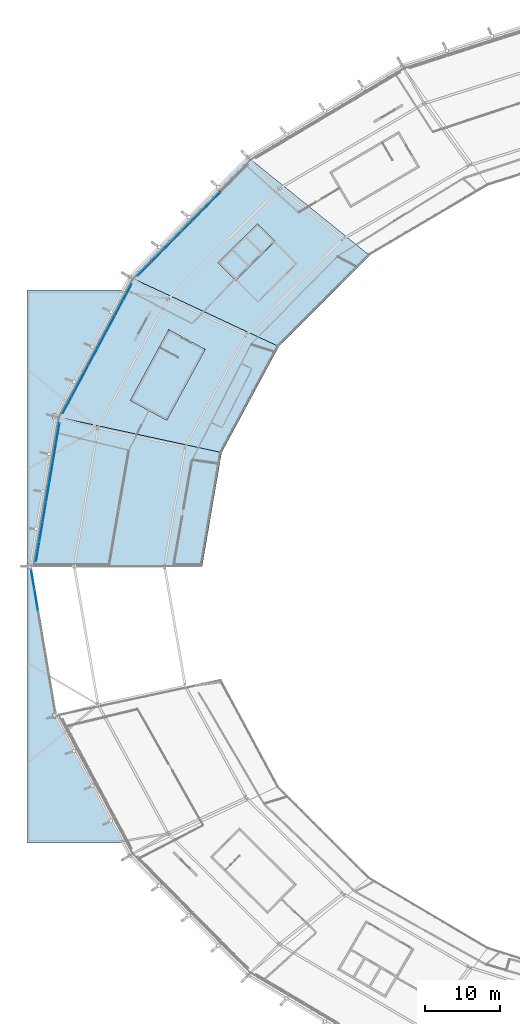
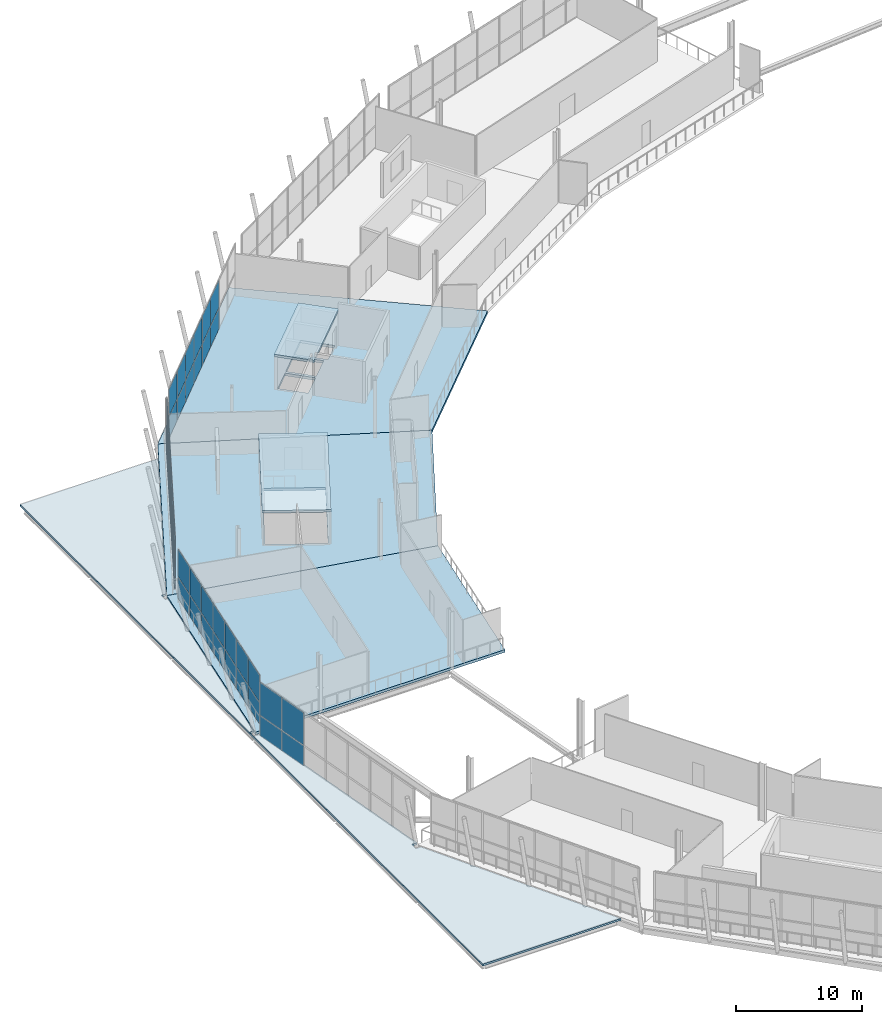
# One storey, part 56 of 99: 46 plates, 6 slabs, 5 elements without a shape of their own.
"""IFC4 building model written with IfcOpenShell, lengths in metres."""

from ifc_helpers import new_model, si_unit, direction, frame, origin, origin_2d, place, context, subcontext, project, spatial, polyline, rectangle, outline, extrude, material, layer, layer_set, type_object, element, aggregate, save


model = new_model("IFC4")

# Units and contexts
model_context = context("Model", 3, precision=1e-05, world=origin(), true_north=direction((0.0, 1.0)))
body_context = subcontext(model_context, "Body", "Model", "MODEL_VIEW")
ifc_project = project(units=[si_unit("LENGTHUNIT", "METRE"), si_unit("AREAUNIT", "SQUARE_METRE"), si_unit("VOLUMEUNIT", "CUBIC_METRE"), si_unit("PLANEANGLEUNIT", "RADIAN"), si_unit("MASSUNIT", "GRAM", prefix="KILO")], contexts=[model_context])

# Site, building, storey
site_placement = place(None, origin())
site = spatial("IfcSite", under=ifc_project, at=site_placement, CompositionType="ELEMENT")
building_placement = place(site_placement, origin())
building = spatial("IfcBuilding", under=site, at=building_placement, Name="Zlatoyarsky Gate Stadium", CompositionType="ELEMENT")
storey_placement = place(building_placement, frame((0.0, 0.0, 26.199951171875)))
storey = spatial("IfcBuildingStorey", under=building, at=storey_placement, Name="L05", CompositionType="ELEMENT", Elevation=26.199951171875)

# Curtain wall, plates
ifc_material_1 = material(Name="Thermally broken anodised aluminium curtain wall", Category="aluminium")
curtain_wall_type_1 = type_object("IfcCurtainWallType", Name="MONUMENTAL ARCHED GATE GLAZING UPPER", PredefinedType="USERDEFINED", material=ifc_material_1)
curtain_wall_1_placement = place(storey_placement, origin())
curtain_wall_1 = element("IfcCurtainWall", 1, at=curtain_wall_1_placement, inside=storey, type_object=curtain_wall_type_1, Name="Curtain wall CW-L05-12", ObjectType="ARCHED GATE GLAZING", PredefinedType="USERDEFINED")
ifc_material_2 = material(Name="Triple-glazed argon low-e architectural glass", Category="glass")
ifc_layer_1 = layer(ifc_material_2, 0.0458984375)
ifc_layer_set_1 = layer_set([ifc_layer_1], Name="Triple-glazed argon low-e architectural glass")
plate_type_1 = type_object("IfcPlateType", Name="ACOUSTIC LAMINATED GATE GLAZING PANEL 46", PredefinedType="CURTAIN_PANEL", material=ifc_layer_set_1)
plate_1_placement = place(storey_placement, frame((12.509765625, 78.181396484375, -0.18505859375), z_axis=(0.0, 0.0, 1.0), x_axis=(0.166995052945, -0.985957733522, 0.0)))
plate_1 = element("IfcPlate", 2, at=plate_1_placement, type_object=plate_type_1, Name="CW-AG2 panel 1.1", PredefinedType="CURTAIN_PANEL", context=body_context, shape_type="SweptSolid", body=[
    extrude(rectangle(XDim=2.638916015625, YDim=0.0458984375, at=origin_2d()), origin(), (0.0, 0.0, 1.0), 2.03759765625),
])
plate_2_placement = place(storey_placement, frame((12.509765625, 78.181396484375, 1.927490234375), z_axis=(0.0, 0.0, 1.0), x_axis=(0.166995052945, -0.985957733522, 0.0)))
plate_2 = element("IfcPlate", 3, at=plate_2_placement, type_object=plate_type_1, Name="CW-AG2 panel 1.2", PredefinedType="CURTAIN_PANEL", context=body_context, shape_type="SweptSolid", body=[
    extrude(rectangle(XDim=2.638916015625, YDim=0.0458984375, at=origin_2d()), origin(), (0.0, 0.0, 1.0), 3.1474609375),
])
plate_3_placement = place(storey_placement, frame((12.96630859375, 75.487060546875, -0.18505859375), z_axis=(0.0, 0.0, 1.0), x_axis=(0.166995052945, -0.985957733522, 0.0)))
plate_3 = element("IfcPlate", 4, at=plate_3_placement, type_object=plate_type_1, Name="CW-AG2 panel 2.1", PredefinedType="CURTAIN_PANEL", context=body_context, shape_type="SweptSolid", body=[
    extrude(rectangle(XDim=2.676513671875, YDim=0.0458984375, at=origin_2d()), origin(), (0.0, 0.0, 1.0), 2.03759765625),
])
plate_4_placement = place(storey_placement, frame((12.96630859375, 75.487060546875, 1.927490234375), z_axis=(0.0, 0.0, 1.0), x_axis=(0.166995052945, -0.985957733522, 0.0)))
plate_4 = element("IfcPlate", 5, at=plate_4_placement, type_object=plate_type_1, Name="CW-AG2 panel 2.2", PredefinedType="CURTAIN_PANEL", context=body_context, shape_type="SweptSolid", body=[
    extrude(rectangle(XDim=2.676513671875, YDim=0.0458984375, at=origin_2d()), origin(), (0.0, 0.0, 1.0), 3.1474609375),
])
aggregate(curtain_wall_1, [plate_1, plate_2, plate_3, plate_4])

# Roof, slab
ifc_material_3 = material(Name="Standing-seam aluminium-zinc roofing with mineral wool insulation", Category="aluminium")
ifc_layer_2 = layer(ifc_material_3, 0.080078125)
ifc_layer_set_2 = layer_set([ifc_layer_2], Name="Standing-seam aluminium-zinc roofing with mineral wool insulation")
roof_type = type_object("IfcRoofType", Name="WING GABLED STANDING SEAM ROOF ASSEMBLY", PredefinedType="GABLE_ROOF", material=ifc_layer_set_2)
roof_placement = place(storey_placement, origin())
roof = element("IfcRoof", 6, at=roof_placement, inside=storey, type_object=roof_type, Name="V4_WEST wing standing seam roof assembly", PredefinedType="GABLE_ROOF")
ifc_material_4 = material(Name="Concrete C40/50", Category="concrete")
ifc_layer_3 = layer(ifc_material_4, 0.179931640625)
ifc_layer_set_3 = layer_set([ifc_layer_3], Name="Concrete C40/50")
slab_type_1 = type_object("IfcSlabType", Name="COMPOSITE PAVILION ROOF SLAB 180", PredefinedType="ROOF", material=ifc_layer_set_3)
slab_1_placement = place(storey_placement, frame((0.0, 0.0, -0.260009765625)))
slab_1 = element("IfcSlab", 7, at=slab_1_placement, type_object=slab_type_1, Name="V4_WEST composite wing roof slab 1", PredefinedType="ROOF", context=body_context, shape_type="SweptSolid", body=[
    extrude(outline(polyline([(11.760009765625, 43.260009765625), (11.760009765625, 116.739990234375), (24.418701171875, 116.739990234375), (15.6162109375, 100.217529296875), (15.171142578125, 100.217529296875), (15.171142578125, 99.577392578125), (15.396240234375, 99.577392578125), (12.135498046875, 80.320068359375), (11.802001953125, 80.320068359375), (11.802001953125, 79.679931640625), (12.39599609375, 79.679931640625), (15.658935546875, 60.422607421875), (15.171142578125, 60.422607421875), (15.171142578125, 59.782470703125), (15.6162109375, 59.782470703125), (24.418701171875, 43.260009765625), (11.760009765625, 43.260009765625)])), origin(), (0.0, 0.0, 1.0), 0.18017578125),
])
aggregate(roof, [slab_1])

# Slabs
ifc_layer_4 = layer(ifc_material_4, 0.239990234375)
ifc_layer_set_4 = layer_set([ifc_layer_4], Name="Concrete C40/50")
slab_type_2 = type_object("IfcSlabType", Name="CONCRETE CORE TOP CAP SLAB 240", PredefinedType="ROOF", material=ifc_layer_set_4)
slab_2_placement = place(storey_placement, frame((0.0, 0.0, 3.199951171875)))
element("IfcSlab", 8, at=slab_2_placement, inside=storey, type_object=slab_type_2, Name="ST-06 stair headhouse roof cap", PredefinedType="ROOF", context=body_context, shape_type="SweptSolid", body=[
    extrude(outline(polyline([(30.56494140625, 111.438232421875), (25.462158203125, 102.033203125), (30.296630859375, 99.410400390625), (35.399169921875, 108.815185546875), (30.56494140625, 111.438232421875)])), origin(), (0.0, 0.0, 1.0), 0.239990234375),
])
slab_3_placement = place(storey_placement, frame((0.0, 0.0, 3.199951171875)))
element("IfcSlab", 9, at=slab_3_placement, inside=storey, type_object=slab_type_2, Name="C2 lift overrun top cap slab", PredefinedType="ROOF", context=body_context, shape_type="SweptSolid", body=[
    extrude(outline(polyline([(42.357666015625, 125.539306640625), (37.11181640625, 120.320068359375), (39.439208984375, 117.980712890625), (44.685302734375, 123.199951171875), (42.357666015625, 125.539306640625)])), origin(), (0.0, 0.0, 1.0), 0.239990234375),
])
ifc_layer_5 = layer(ifc_material_4, 0.260009765625)
ifc_layer_set_5 = layer_set([ifc_layer_5], Name="Concrete C40/50")
slab_type_3 = type_object("IfcSlabType", Name="CONCRETE SKYBOX SLAB 260", PredefinedType="FLOOR", material=ifc_layer_set_5)
slab_4_placement = place(storey_placement, frame((0.0, 0.0, -0.260009765625)))
element("IfcSlab", 10, at=slab_4_placement, inside=storey, type_object=slab_type_3, Name="L05 bowl sector 09 slab", PredefinedType="FLOOR", context=body_context, shape_type="SweptSolid", body=[
    extrude(outline(polyline([(45.18212890625, 109.199951171875), (25.369140625, 118.43896484375), (41.08251953125, 134.361083984375), (57.260009765625, 121.294921875), (45.18212890625, 109.199951171875)]), holes=[polyline([(37.46533203125, 120.319091796875), (39.228759765625, 118.547119140625), (40.7880859375, 120.0986328125), (39.02490234375, 121.870849609375), (37.46533203125, 120.319091796875)]), polyline([(39.2021484375, 122.047119140625), (40.965576171875, 120.27490234375), (42.52490234375, 121.82666015625), (40.76171875, 123.598876953125), (39.2021484375, 122.047119140625)]), polyline([(42.356689453125, 125.185791015625), (40.93896484375, 123.775146484375), (42.913818359375, 121.790283203125), (44.331787109375, 123.200927734375), (42.356689453125, 125.185791015625)])]), origin(), (0.0, 0.0, 1.0), 0.260009765625),
])
slab_5_placement = place(storey_placement, frame((0.0, 0.0, -0.260009765625)))
element("IfcSlab", 11, at=slab_5_placement, inside=storey, type_object=slab_type_3, Name="L05 bowl sector 10 slab", PredefinedType="FLOOR", context=body_context, shape_type="SweptSolid", body=[
    extrude(outline(polyline([(37.589599609375, 95.114990234375), (15.4912109375, 99.8974609375), (25.369140625, 118.43896484375), (45.18212890625, 109.199951171875), (37.589599609375, 95.114990234375)]), holes=[polyline([(25.80126953125, 102.1337890625), (30.196044921875, 99.749267578125), (33.891845703125, 106.561279296875), (29.4970703125, 108.94580078125), (25.80126953125, 102.1337890625)])]), origin(), (0.0, 0.0, 1.0), 0.260009765625),
])
slab_6_placement = place(storey_placement, frame((0.0, 0.0, -0.260009765625)))
element("IfcSlab", 12, at=slab_6_placement, inside=storey, type_object=slab_type_3, Name="L05 bowl sector 11 slab", PredefinedType="FLOOR", context=body_context, shape_type="SweptSolid", body=[
    extrude(outline(polyline([(35.0, 80.0), (12.121826171875, 80.0), (15.4912109375, 99.8974609375), (37.589599609375, 95.114990234375), (35.0, 80.0)])), origin(), (0.0, 0.0, 1.0), 0.260009765625),
])

# Curtain wall, plates
curtain_wall_type_2 = type_object("IfcCurtainWallType", Name="UNITISED SKYBOX RING GLAZING L05", PredefinedType="USERDEFINED", material=ifc_material_1)
curtain_wall_2_placement = place(storey_placement, origin())
curtain_wall_2 = element("IfcCurtainWall", 13, at=curtain_wall_2_placement, inside=storey, type_object=curtain_wall_type_2, Name="Curtain wall CW-L05-09", ObjectType="UNITISED GLAZING", PredefinedType="USERDEFINED")
ifc_layer_6 = layer(ifc_material_2, 0.0380859375)
ifc_layer_set_6 = layer_set([ifc_layer_6], Name="Triple-glazed argon low-e architectural glass")
plate_type_2 = type_object("IfcPlateType", Name="TRIPLE GLAZED LOW E CURTAIN PANEL 38", PredefinedType="CURTAIN_PANEL", material=ifc_layer_set_6)
plate_5_placement = place(storey_placement, frame((36.530517578125, 128.762451171875, 0.06494140625), z_axis=(0.0, 0.0, 1.0), x_axis=(-0.70315589898, -0.711035710587, 0.0)))
plate_5 = element("IfcPlate", 14, at=plate_5_placement, type_object=plate_type_2, Name="CW-UG5 panel 3.1", PredefinedType="CURTAIN_PANEL", context=body_context, shape_type="SweptSolid", body=[
    extrude(rectangle(XDim=2.546142578125, YDim=0.0380859375, at=origin_2d()), origin(), (0.0, 0.0, 1.0), 2.052490234375),
])
plate_6_placement = place(storey_placement, frame((36.530517578125, 128.762451171875, 2.1826171875), z_axis=(0.0, 0.0, 1.0), x_axis=(-0.70315589898, -0.711035710587, 0.0)))
plate_6 = element("IfcPlate", 15, at=plate_6_placement, type_object=plate_type_2, Name="CW-UG5 panel 3.2", PredefinedType="CURTAIN_PANEL", context=body_context, shape_type="SweptSolid", body=[
    extrude(rectangle(XDim=2.546142578125, YDim=0.0380859375, at=origin_2d()), origin(), (0.0, 0.0, 1.0), 2.632568359375),
])
plate_7_placement = place(storey_placement, frame((34.6943359375, 126.90576171875, 0.06494140625), z_axis=(0.0, 0.0, 1.0), x_axis=(-0.70315589898, -0.711035710587, 0.0)))
plate_7 = element("IfcPlate", 16, at=plate_7_placement, type_object=plate_type_2, Name="CW-UG5 panel 4.1", PredefinedType="CURTAIN_PANEL", context=body_context, shape_type="SweptSolid", body=[
    extrude(rectangle(XDim=2.546142578125, YDim=0.0380859375, at=origin_2d()), origin(), (0.0, 0.0, 1.0), 2.052490234375),
])
plate_8_placement = place(storey_placement, frame((34.6943359375, 126.90576171875, 2.1826171875), z_axis=(0.0, 0.0, 1.0), x_axis=(-0.70315589898, -0.711035710587, 0.0)))
plate_8 = element("IfcPlate", 17, at=plate_8_placement, type_object=plate_type_2, Name="CW-UG5 panel 4.2", PredefinedType="CURTAIN_PANEL", context=body_context, shape_type="SweptSolid", body=[
    extrude(rectangle(XDim=2.546142578125, YDim=0.0380859375, at=origin_2d()), origin(), (0.0, 0.0, 1.0), 2.632568359375),
])
plate_9_placement = place(storey_placement, frame((32.8583984375, 125.04931640625, 0.06494140625), z_axis=(0.0, 0.0, 1.0), x_axis=(-0.70315589898, -0.711035710587, 0.0)))
plate_9 = element("IfcPlate", 18, at=plate_9_placement, type_object=plate_type_2, Name="CW-UG5 panel 5.1", PredefinedType="CURTAIN_PANEL", context=body_context, shape_type="SweptSolid", body=[
    extrude(rectangle(XDim=2.546142578125, YDim=0.0380859375, at=origin_2d()), origin(), (0.0, 0.0, 1.0), 2.052490234375),
])
plate_10_placement = place(storey_placement, frame((32.8583984375, 125.04931640625, 2.1826171875), z_axis=(0.0, 0.0, 1.0), x_axis=(-0.70315589898, -0.711035710587, 0.0)))
plate_10 = element("IfcPlate", 19, at=plate_10_placement, type_object=plate_type_2, Name="CW-UG5 panel 5.2", PredefinedType="CURTAIN_PANEL", context=body_context, shape_type="SweptSolid", body=[
    extrude(rectangle(XDim=2.546142578125, YDim=0.0380859375, at=origin_2d()), origin(), (0.0, 0.0, 1.0), 2.632568359375),
])
plate_11_placement = place(storey_placement, frame((31.0224609375, 123.192626953125, 0.06494140625), z_axis=(0.0, 0.0, 1.0), x_axis=(-0.70315589898, -0.711035710587, 0.0)))
plate_11 = element("IfcPlate", 20, at=plate_11_placement, type_object=plate_type_2, Name="CW-UG5 panel 6.1", PredefinedType="CURTAIN_PANEL", context=body_context, shape_type="SweptSolid", body=[
    extrude(rectangle(XDim=2.546142578125, YDim=0.0380859375, at=origin_2d()), origin(), (0.0, 0.0, 1.0), 2.052490234375),
])
plate_12_placement = place(storey_placement, frame((31.0224609375, 123.192626953125, 2.1826171875), z_axis=(0.0, 0.0, 1.0), x_axis=(-0.70315589898, -0.711035710587, 0.0)))
plate_12 = element("IfcPlate", 21, at=plate_12_placement, type_object=plate_type_2, Name="CW-UG5 panel 6.2", PredefinedType="CURTAIN_PANEL", context=body_context, shape_type="SweptSolid", body=[
    extrude(rectangle(XDim=2.546142578125, YDim=0.0380859375, at=origin_2d()), origin(), (0.0, 0.0, 1.0), 2.632568359375),
])
plate_13_placement = place(storey_placement, frame((29.1865234375, 121.336181640625, 0.06494140625), z_axis=(0.0, 0.0, 1.0), x_axis=(-0.70315589898, -0.711035710587, 0.0)))
plate_13 = element("IfcPlate", 22, at=plate_13_placement, type_object=plate_type_2, Name="CW-UG5 panel 7.1", PredefinedType="CURTAIN_PANEL", context=body_context, shape_type="SweptSolid", body=[
    extrude(rectangle(XDim=2.546142578125, YDim=0.0380859375, at=origin_2d()), origin(), (0.0, 0.0, 1.0), 2.052490234375),
])
plate_14_placement = place(storey_placement, frame((29.1865234375, 121.336181640625, 2.1826171875), z_axis=(0.0, 0.0, 1.0), x_axis=(-0.70315589898, -0.711035710587, 0.0)))
plate_14 = element("IfcPlate", 23, at=plate_14_placement, type_object=plate_type_2, Name="CW-UG5 panel 7.2", PredefinedType="CURTAIN_PANEL", context=body_context, shape_type="SweptSolid", body=[
    extrude(rectangle(XDim=2.546142578125, YDim=0.0380859375, at=origin_2d()), origin(), (0.0, 0.0, 1.0), 2.632568359375),
])
plate_15_placement = place(storey_placement, frame((27.36181640625, 119.490966796875, 0.06494140625), z_axis=(0.0, 0.0, 1.0), x_axis=(-0.70315589898, -0.711035710587, 0.0)))
plate_15 = element("IfcPlate", 24, at=plate_15_placement, type_object=plate_type_2, Name="CW-UG5 panel 8.1", PredefinedType="CURTAIN_PANEL", context=body_context, shape_type="SweptSolid", body=[
    extrude(rectangle(XDim=2.513671875, YDim=0.0380859375, at=origin_2d()), origin(), (0.0, 0.0, 1.0), 2.052490234375),
])
plate_16_placement = place(storey_placement, frame((27.36181640625, 119.490966796875, 2.1826171875), z_axis=(0.0, 0.0, 1.0), x_axis=(-0.70315589898, -0.711035710587, 0.0)))
plate_16 = element("IfcPlate", 25, at=plate_16_placement, type_object=plate_type_2, Name="CW-UG5 panel 8.2", PredefinedType="CURTAIN_PANEL", context=body_context, shape_type="SweptSolid", body=[
    extrude(rectangle(XDim=2.513671875, YDim=0.0380859375, at=origin_2d()), origin(), (0.0, 0.0, 1.0), 2.632568359375),
])
aggregate(curtain_wall_2, [plate_5, plate_6, plate_7, plate_8, plate_9, plate_10, plate_11, plate_12, plate_13, plate_14, plate_15, plate_16])

curtain_wall_3_placement = place(storey_placement, origin())
curtain_wall_3 = element("IfcCurtainWall", 26, at=curtain_wall_3_placement, inside=storey, type_object=curtain_wall_type_2, Name="Curtain wall CW-L05-10", ObjectType="UNITISED GLAZING", PredefinedType="USERDEFINED")
plate_17_placement = place(storey_placement, frame((25.0869140625, 116.424560546875, 0.06494140625), z_axis=(0.0, 0.0, 1.0), x_axis=(-0.470937199667, -0.882166738191, 0.0)))
plate_17 = element("IfcPlate", 27, at=plate_17_placement, type_object=plate_type_2, Name="CW-UG5 panel 1.1", PredefinedType="CURTAIN_PANEL", context=body_context, shape_type="SweptSolid", body=[
    extrude(rectangle(XDim=2.34326171875, YDim=0.0380859375, at=origin_2d()), origin(), (0.0, 0.0, 1.0), 2.052490234375),
])
plate_18_placement = place(storey_placement, frame((25.0869140625, 116.424560546875, 2.1826171875), z_axis=(0.0, 0.0, 1.0), x_axis=(-0.470937199667, -0.882166738191, 0.0)))
plate_18 = element("IfcPlate", 28, at=plate_18_placement, type_object=plate_type_2, Name="CW-UG5 panel 1.2", PredefinedType="CURTAIN_PANEL", context=body_context, shape_type="SweptSolid", body=[
    extrude(rectangle(XDim=2.34326171875, YDim=0.0380859375, at=origin_2d()), origin(), (0.0, 0.0, 1.0), 2.632568359375),
])
plate_19_placement = place(storey_placement, frame((23.945068359375, 114.28564453125, 0.06494140625), z_axis=(0.0, 0.0, 1.0), x_axis=(-0.470937199667, -0.882166738191, 0.0)))
plate_19 = element("IfcPlate", 29, at=plate_19_placement, type_object=plate_type_2, Name="CW-UG5 panel 2.1", PredefinedType="CURTAIN_PANEL", context=body_context, shape_type="SweptSolid", body=[
    extrude(rectangle(XDim=2.375732421875, YDim=0.0380859375, at=origin_2d()), origin(), (0.0, 0.0, 1.0), 2.052490234375),
])
plate_20_placement = place(storey_placement, frame((23.945068359375, 114.28564453125, 2.1826171875), z_axis=(0.0, 0.0, 1.0), x_axis=(-0.470937199667, -0.882166738191, 0.0)))
plate_20 = element("IfcPlate", 30, at=plate_20_placement, type_object=plate_type_2, Name="CW-UG5 panel 2.2", PredefinedType="CURTAIN_PANEL", context=body_context, shape_type="SweptSolid", body=[
    extrude(rectangle(XDim=2.375732421875, YDim=0.0380859375, at=origin_2d()), origin(), (0.0, 0.0, 1.0), 2.632568359375),
])
plate_21_placement = place(storey_placement, frame((22.79541015625, 112.132568359375, 0.06494140625), z_axis=(0.0, 0.0, 1.0), x_axis=(-0.470937199667, -0.882166738191, 0.0)))
plate_21 = element("IfcPlate", 31, at=plate_21_placement, type_object=plate_type_2, Name="CW-UG5 panel 3.1", PredefinedType="CURTAIN_PANEL", context=body_context, shape_type="SweptSolid", body=[
    extrude(rectangle(XDim=2.375732421875, YDim=0.0380859375, at=origin_2d()), origin(), (0.0, 0.0, 1.0), 2.052490234375),
])
plate_22_placement = place(storey_placement, frame((22.79541015625, 112.132568359375, 2.1826171875), z_axis=(0.0, 0.0, 1.0), x_axis=(-0.470937199667, -0.882166738191, 0.0)))
plate_22 = element("IfcPlate", 32, at=plate_22_placement, type_object=plate_type_2, Name="CW-UG5 panel 3.2", PredefinedType="CURTAIN_PANEL", context=body_context, shape_type="SweptSolid", body=[
    extrude(rectangle(XDim=2.375732421875, YDim=0.0380859375, at=origin_2d()), origin(), (0.0, 0.0, 1.0), 2.632568359375),
])
plate_23_placement = place(storey_placement, frame((21.64599609375, 109.979248046875, 0.06494140625), z_axis=(0.0, 0.0, 1.0), x_axis=(-0.470937199667, -0.882166738191, 0.0)))
plate_23 = element("IfcPlate", 33, at=plate_23_placement, type_object=plate_type_2, Name="CW-UG5 panel 4.1", PredefinedType="CURTAIN_PANEL", context=body_context, shape_type="SweptSolid", body=[
    extrude(rectangle(XDim=2.375732421875, YDim=0.0380859375, at=origin_2d()), origin(), (0.0, 0.0, 1.0), 2.052490234375),
])
plate_24_placement = place(storey_placement, frame((21.64599609375, 109.979248046875, 2.1826171875), z_axis=(0.0, 0.0, 1.0), x_axis=(-0.470937199667, -0.882166738191, 0.0)))
plate_24 = element("IfcPlate", 34, at=plate_24_placement, type_object=plate_type_2, Name="CW-UG5 panel 4.2", PredefinedType="CURTAIN_PANEL", context=body_context, shape_type="SweptSolid", body=[
    extrude(rectangle(XDim=2.375732421875, YDim=0.0380859375, at=origin_2d()), origin(), (0.0, 0.0, 1.0), 2.632568359375),
])
plate_25_placement = place(storey_placement, frame((20.49658203125, 107.825927734375, 0.06494140625), z_axis=(0.0, 0.0, 1.0), x_axis=(-0.470937199667, -0.882166738191, 0.0)))
plate_25 = element("IfcPlate", 35, at=plate_25_placement, type_object=plate_type_2, Name="CW-UG5 panel 5.1", PredefinedType="CURTAIN_PANEL", context=body_context, shape_type="SweptSolid", body=[
    extrude(rectangle(XDim=2.375732421875, YDim=0.0380859375, at=origin_2d()), origin(), (0.0, 0.0, 1.0), 2.052490234375),
])
plate_26_placement = place(storey_placement, frame((20.49658203125, 107.825927734375, 2.1826171875), z_axis=(0.0, 0.0, 1.0), x_axis=(-0.470937199667, -0.882166738191, 0.0)))
plate_26 = element("IfcPlate", 36, at=plate_26_placement, type_object=plate_type_2, Name="CW-UG5 panel 5.2", PredefinedType="CURTAIN_PANEL", context=body_context, shape_type="SweptSolid", body=[
    extrude(rectangle(XDim=2.375732421875, YDim=0.0380859375, at=origin_2d()), origin(), (0.0, 0.0, 1.0), 2.632568359375),
])
plate_27_placement = place(storey_placement, frame((19.346923828125, 105.6728515625, 0.06494140625), z_axis=(0.0, 0.0, 1.0), x_axis=(-0.470937199667, -0.882166738191, 0.0)))
plate_27 = element("IfcPlate", 37, at=plate_27_placement, type_object=plate_type_2, Name="CW-UG5 panel 6.1", PredefinedType="CURTAIN_PANEL", context=body_context, shape_type="SweptSolid", body=[
    extrude(rectangle(XDim=2.375732421875, YDim=0.0380859375, at=origin_2d()), origin(), (0.0, 0.0, 1.0), 2.052490234375),
])
plate_28_placement = place(storey_placement, frame((19.346923828125, 105.6728515625, 2.1826171875), z_axis=(0.0, 0.0, 1.0), x_axis=(-0.470937199667, -0.882166738191, 0.0)))
plate_28 = element("IfcPlate", 38, at=plate_28_placement, type_object=plate_type_2, Name="CW-UG5 panel 6.2", PredefinedType="CURTAIN_PANEL", context=body_context, shape_type="SweptSolid", body=[
    extrude(rectangle(XDim=2.375732421875, YDim=0.0380859375, at=origin_2d()), origin(), (0.0, 0.0, 1.0), 2.632568359375),
])
plate_29_placement = place(storey_placement, frame((18.197509765625, 103.51953125, 0.06494140625), z_axis=(0.0, 0.0, 1.0), x_axis=(-0.470937199667, -0.882166738191, 0.0)))
plate_29 = element("IfcPlate", 39, at=plate_29_placement, type_object=plate_type_2, Name="CW-UG5 panel 7.1", PredefinedType="CURTAIN_PANEL", context=body_context, shape_type="SweptSolid", body=[
    extrude(rectangle(XDim=2.375732421875, YDim=0.0380859375, at=origin_2d()), origin(), (0.0, 0.0, 1.0), 2.052490234375),
])
plate_30_placement = place(storey_placement, frame((18.197509765625, 103.51953125, 2.1826171875), z_axis=(0.0, 0.0, 1.0), x_axis=(-0.470937199667, -0.882166738191, 0.0)))
plate_30 = element("IfcPlate", 40, at=plate_30_placement, type_object=plate_type_2, Name="CW-UG5 panel 7.2", PredefinedType="CURTAIN_PANEL", context=body_context, shape_type="SweptSolid", body=[
    extrude(rectangle(XDim=2.375732421875, YDim=0.0380859375, at=origin_2d()), origin(), (0.0, 0.0, 1.0), 2.632568359375),
])
plate_31_placement = place(storey_placement, frame((17.0556640625, 101.380615234375, 0.06494140625), z_axis=(0.0, 0.0, 1.0), x_axis=(-0.470937199667, -0.882166738191, 0.0)))
plate_31 = element("IfcPlate", 41, at=plate_31_placement, type_object=plate_type_2, Name="CW-UG5 panel 8.1", PredefinedType="CURTAIN_PANEL", context=body_context, shape_type="SweptSolid", body=[
    extrude(rectangle(XDim=2.34326171875, YDim=0.0380859375, at=origin_2d()), origin(), (0.0, 0.0, 1.0), 2.052490234375),
])
plate_32_placement = place(storey_placement, frame((17.0556640625, 101.380615234375, 2.1826171875), z_axis=(0.0, 0.0, 1.0), x_axis=(-0.470937199667, -0.882166738191, 0.0)))
plate_32 = element("IfcPlate", 42, at=plate_32_placement, type_object=plate_type_2, Name="CW-UG5 panel 8.2", PredefinedType="CURTAIN_PANEL", context=body_context, shape_type="SweptSolid", body=[
    extrude(rectangle(XDim=2.34326171875, YDim=0.0380859375, at=origin_2d()), origin(), (0.0, 0.0, 1.0), 2.632568359375),
])
aggregate(curtain_wall_3, [plate_17, plate_18, plate_19, plate_20, plate_21, plate_22, plate_23, plate_24, plate_25, plate_26, plate_27, plate_28, plate_29, plate_30, plate_31, plate_32])

curtain_wall_4_placement = place(storey_placement, origin())
curtain_wall_4 = element("IfcCurtainWall", 43, at=curtain_wall_4_placement, inside=storey, type_object=curtain_wall_type_2, Name="Curtain wall CW-L05-11", ObjectType="UNITISED GLAZING", PredefinedType="USERDEFINED")
plate_33_placement = place(storey_placement, frame((15.832275390625, 97.74267578125, 0.06494140625), z_axis=(0.0, 0.0, 1.0), x_axis=(-0.167283663824, -0.985908807049, 0.0)))
plate_33 = element("IfcPlate", 44, at=plate_33_placement, type_object=plate_type_2, Name="CW-UG5 panel 1.1", PredefinedType="CURTAIN_PANEL", context=body_context, shape_type="SweptSolid", body=[
    extrude(rectangle(XDim=2.57373046875, YDim=0.0380859375, at=origin_2d()), origin(), (0.0, 0.0, 1.0), 2.052490234375),
])
plate_34_placement = place(storey_placement, frame((15.832275390625, 97.74267578125, 2.1826171875), z_axis=(0.0, 0.0, 1.0), x_axis=(-0.167283663824, -0.985908807049, 0.0)))
plate_34 = element("IfcPlate", 45, at=plate_34_placement, type_object=plate_type_2, Name="CW-UG5 panel 1.2", PredefinedType="CURTAIN_PANEL", context=body_context, shape_type="SweptSolid", body=[
    extrude(rectangle(XDim=2.57373046875, YDim=0.0380859375, at=origin_2d()), origin(), (0.0, 0.0, 1.0), 2.632568359375),
])
plate_35_placement = place(storey_placement, frame((15.38818359375, 95.125244140625, 0.06494140625), z_axis=(0.0, 0.0, 1.0), x_axis=(-0.167283663824, -0.985908807049, 0.0)))
plate_35 = element("IfcPlate", 46, at=plate_35_placement, type_object=plate_type_2, Name="CW-UG5 panel 2.1", PredefinedType="CURTAIN_PANEL", context=body_context, shape_type="SweptSolid", body=[
    extrude(rectangle(XDim=2.606201171875, YDim=0.0380859375, at=origin_2d()), origin(), (0.0, 0.0, 1.0), 2.052490234375),
])
plate_36_placement = place(storey_placement, frame((15.38818359375, 95.125244140625, 2.1826171875), z_axis=(0.0, 0.0, 1.0), x_axis=(-0.167283663824, -0.985908807049, 0.0)))
plate_36 = element("IfcPlate", 47, at=plate_36_placement, type_object=plate_type_2, Name="CW-UG5 panel 2.2", PredefinedType="CURTAIN_PANEL", context=body_context, shape_type="SweptSolid", body=[
    extrude(rectangle(XDim=2.606201171875, YDim=0.0380859375, at=origin_2d()), origin(), (0.0, 0.0, 1.0), 2.632568359375),
])
plate_37_placement = place(storey_placement, frame((14.94140625, 92.49169921875, 0.06494140625), z_axis=(0.0, 0.0, 1.0), x_axis=(-0.167283663824, -0.985908807049, 0.0)))
plate_37 = element("IfcPlate", 48, at=plate_37_placement, type_object=plate_type_2, Name="CW-UG5 panel 3.1", PredefinedType="CURTAIN_PANEL", context=body_context, shape_type="SweptSolid", body=[
    extrude(rectangle(XDim=2.606201171875, YDim=0.0380859375, at=origin_2d()), origin(), (0.0, 0.0, 1.0), 2.052490234375),
])
plate_38_placement = place(storey_placement, frame((14.94140625, 92.49169921875, 2.1826171875), z_axis=(0.0, 0.0, 1.0), x_axis=(-0.167283663824, -0.985908807049, 0.0)))
plate_38 = element("IfcPlate", 49, at=plate_38_placement, type_object=plate_type_2, Name="CW-UG5 panel 3.2", PredefinedType="CURTAIN_PANEL", context=body_context, shape_type="SweptSolid", body=[
    extrude(rectangle(XDim=2.606201171875, YDim=0.0380859375, at=origin_2d()), origin(), (0.0, 0.0, 1.0), 2.632568359375),
])
plate_39_placement = place(storey_placement, frame((14.49462890625, 89.858154296875, 0.06494140625), z_axis=(0.0, 0.0, 1.0), x_axis=(-0.167283663824, -0.985908807049, 0.0)))
plate_39 = element("IfcPlate", 50, at=plate_39_placement, type_object=plate_type_2, Name="CW-UG5 panel 4.1", PredefinedType="CURTAIN_PANEL", context=body_context, shape_type="SweptSolid", body=[
    extrude(rectangle(XDim=2.606201171875, YDim=0.0380859375, at=origin_2d()), origin(), (0.0, 0.0, 1.0), 2.052490234375),
])
plate_40_placement = place(storey_placement, frame((14.49462890625, 89.858154296875, 2.1826171875), z_axis=(0.0, 0.0, 1.0), x_axis=(-0.167283663824, -0.985908807049, 0.0)))
plate_40 = element("IfcPlate", 51, at=plate_40_placement, type_object=plate_type_2, Name="CW-UG5 panel 4.2", PredefinedType="CURTAIN_PANEL", context=body_context, shape_type="SweptSolid", body=[
    extrude(rectangle(XDim=2.606201171875, YDim=0.0380859375, at=origin_2d()), origin(), (0.0, 0.0, 1.0), 2.632568359375),
])
plate_41_placement = place(storey_placement, frame((14.047607421875, 87.224609375, 0.06494140625), z_axis=(0.0, 0.0, 1.0), x_axis=(-0.167283663824, -0.985908807049, 0.0)))
plate_41 = element("IfcPlate", 52, at=plate_41_placement, type_object=plate_type_2, Name="CW-UG5 panel 5.1", PredefinedType="CURTAIN_PANEL", context=body_context, shape_type="SweptSolid", body=[
    extrude(rectangle(XDim=2.606201171875, YDim=0.0380859375, at=origin_2d()), origin(), (0.0, 0.0, 1.0), 2.052490234375),
])
plate_42_placement = place(storey_placement, frame((14.047607421875, 87.224609375, 2.1826171875), z_axis=(0.0, 0.0, 1.0), x_axis=(-0.167283663824, -0.985908807049, 0.0)))
plate_42 = element("IfcPlate", 53, at=plate_42_placement, type_object=plate_type_2, Name="CW-UG5 panel 5.2", PredefinedType="CURTAIN_PANEL", context=body_context, shape_type="SweptSolid", body=[
    extrude(rectangle(XDim=2.606201171875, YDim=0.0380859375, at=origin_2d()), origin(), (0.0, 0.0, 1.0), 2.632568359375),
])
plate_43_placement = place(storey_placement, frame((13.600830078125, 84.591064453125, 0.06494140625), z_axis=(0.0, 0.0, 1.0), x_axis=(-0.167283663824, -0.985908807049, 0.0)))
plate_43 = element("IfcPlate", 54, at=plate_43_placement, type_object=plate_type_2, Name="CW-UG5 panel 6.1", PredefinedType="CURTAIN_PANEL", context=body_context, shape_type="SweptSolid", body=[
    extrude(rectangle(XDim=2.606201171875, YDim=0.0380859375, at=origin_2d()), origin(), (0.0, 0.0, 1.0), 2.052490234375),
])
plate_44_placement = place(storey_placement, frame((13.600830078125, 84.591064453125, 2.1826171875), z_axis=(0.0, 0.0, 1.0), x_axis=(-0.167283663824, -0.985908807049, 0.0)))
plate_44 = element("IfcPlate", 55, at=plate_44_placement, type_object=plate_type_2, Name="CW-UG5 panel 6.2", PredefinedType="CURTAIN_PANEL", context=body_context, shape_type="SweptSolid", body=[
    extrude(rectangle(XDim=2.606201171875, YDim=0.0380859375, at=origin_2d()), origin(), (0.0, 0.0, 1.0), 2.632568359375),
])
plate_45_placement = place(storey_placement, frame((13.15673828125, 81.9736328125, 0.06494140625), z_axis=(0.0, 0.0, 1.0), x_axis=(-0.167283663824, -0.985908807049, 0.0)))
plate_45 = element("IfcPlate", 56, at=plate_45_placement, type_object=plate_type_2, Name="CW-UG5 panel 7.1", PredefinedType="CURTAIN_PANEL", context=body_context, shape_type="SweptSolid", body=[
    extrude(rectangle(XDim=2.57373046875, YDim=0.0380859375, at=origin_2d()), origin(), (0.0, 0.0, 1.0), 2.052490234375),
])
plate_46_placement = place(storey_placement, frame((13.15673828125, 81.9736328125, 2.1826171875), z_axis=(0.0, 0.0, 1.0), x_axis=(-0.167283663824, -0.985908807049, 0.0)))
plate_46 = element("IfcPlate", 57, at=plate_46_placement, type_object=plate_type_2, Name="CW-UG5 panel 7.2", PredefinedType="CURTAIN_PANEL", context=body_context, shape_type="SweptSolid", body=[
    extrude(rectangle(XDim=2.57373046875, YDim=0.0380859375, at=origin_2d()), origin(), (0.0, 0.0, 1.0), 2.632568359375),
])
aggregate(curtain_wall_4, [plate_33, plate_34, plate_35, plate_36, plate_37, plate_38, plate_39, plate_40, plate_41, plate_42, plate_43, plate_44, plate_45, plate_46])

save(model, "model.ifc")
